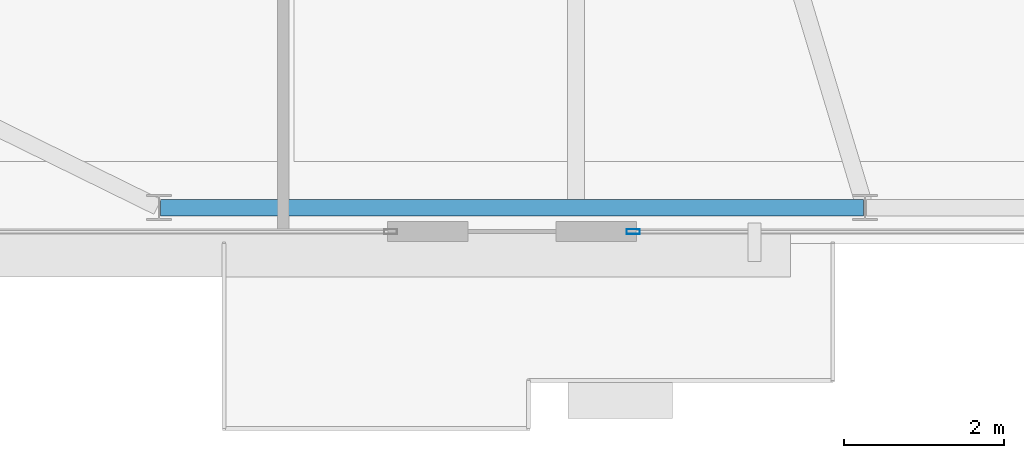
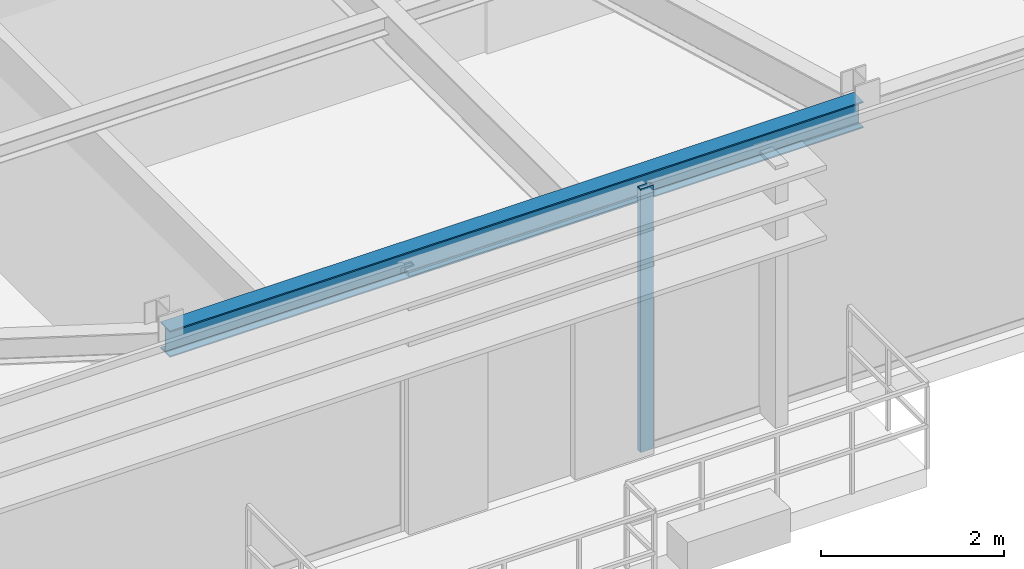
# One storey, part 5 of 21: 1 beam, 1 member, 1 element without a shape of its own.
"""IFC4 building model written with IfcOpenShell, lengths in metres."""

import ifcopenshell
import ifcopenshell.guid

model = None  # the IFC model being written
_history = None  # IfcOwnerHistory: only IFC2X3 demands one
_inside = {}  # id of a spatial element -> (the spatial element, [elements in it])
_under = {}  # id of a project, library or spatial element -> (it, [spatial elements below it])
_declared = {}  # id of a project -> (the project, [libraries it declares])
_typed = {}  # id of a type object -> (the type object, [elements of that type])
_made_of = {}  # id of a material, layer set ... -> (it, [elements and type objects made of it])


def new_model(schema):
    """Start an empty IFC model of exactly this schema.

    Asked for "IFC4X3", IfcOpenShell would pick the latest addendum, in which some entities
    have other attributes; the version numbers below select the first issue.
    IFC2X3 requires an IfcOwnerHistory on every rooted entity: one is made here for all.
    """
    global model, _history
    if schema == "IFC4X3":
        model = ifcopenshell.file(schema_version=(4, 3, 0, 0))
    else:
        model = ifcopenshell.file(schema=schema)
    _inside.clear()
    _under.clear()
    _declared.clear()
    _typed.clear()
    _made_of.clear()
    _history = None
    if model.schema == "IFC2X3":
        org = make("IfcOrganization", Name="unknown")
        user = make(
            "IfcPersonAndOrganization",
            ThePerson=make("IfcPerson", FamilyName="unknown"),
            TheOrganization=org,
        )
        app = make(
            "IfcApplication",
            ApplicationDeveloper=org,
            Version="unknown",
            ApplicationFullName="unknown",
            ApplicationIdentifier="unknown",
        )
        _history = make(
            "IfcOwnerHistory",
            OwningUser=user,
            OwningApplication=app,
            ChangeAction="ADDED",
            CreationDate=0,
        )
    return model


def make(cls, **values):
    """One entity of the class cls with the attributes given. An attribute that is None is left unset."""
    return model.create_entity(
        cls, **{name: value for name, value in values.items() if value is not None}
    )


def rooted(cls, **values):
    """An entity with a GlobalId (a new one), such as an element, a storey or a relation."""
    return make(cls, GlobalId=ifcopenshell.guid.new(), OwnerHistory=_history, **values)


def si_unit(unit_type, name, prefix=None):
    """IfcSIUnit, for example si_unit("LENGTHUNIT", "METRE", prefix="MILLI")."""
    return make("IfcSIUnit", UnitType=unit_type, Prefix=prefix, Name=name)


def assignment(units):
    """IfcUnitAssignment: the units of a project."""
    return None if units is None else make("IfcUnitAssignment", Units=units)


def point(xyz):
    """IfcCartesianPoint."""
    return None if xyz is None else make("IfcCartesianPoint", Coordinates=xyz)


def direction(xyz):
    """IfcDirection."""
    return None if xyz is None else make("IfcDirection", DirectionRatios=xyz)


def frame(location, z_axis=None, x_axis=None):
    """IfcAxis2Placement3D, a coordinate frame: its origin and axes. An axis left out is left unset."""
    return make(
        "IfcAxis2Placement3D",
        Location=point(location),
        Axis=direction(z_axis),
        RefDirection=direction(x_axis),
    )


def frame_2d(location, x_axis=None):
    """IfcAxis2Placement2D, a coordinate frame in the plane: its origin and x axis."""
    return make(
        "IfcAxis2Placement2D", Location=point(location), RefDirection=direction(x_axis)
    )


def origin():
    """The frame at (0, 0, 0) with its axes left unset."""
    return frame((0.0, 0.0, 0.0))


def origin_2d():
    """The frame at (0, 0) in the plane with its x axis left unset."""
    return frame_2d((0.0, 0.0))


def place(relative_to, where):
    """IfcLocalPlacement: puts the frame where relative to a parent placement (None: the world)."""
    return make(
        "IfcLocalPlacement", PlacementRelTo=relative_to, RelativePlacement=where
    )


def context(
    kind, dimensions, precision=None, world=None, true_north=None, identifier=None
):
    """IfcGeometricRepresentationContext, for example the 3D "Model" context."""
    return make(
        "IfcGeometricRepresentationContext",
        ContextIdentifier=identifier,
        ContextType=kind,
        CoordinateSpaceDimension=dimensions,
        Precision=precision,
        WorldCoordinateSystem=world,
        TrueNorth=true_north,
    )


def subcontext(parent, identifier, kind, view, scale=None):
    """IfcGeometricRepresentationSubContext, for example "Body" below "Model"."""
    return make(
        "IfcGeometricRepresentationSubContext",
        ContextIdentifier=identifier,
        ContextType=kind,
        ParentContext=parent,
        TargetScale=scale,
        TargetView=view,
    )


def project(units=None, contexts=None):
    """IfcProject with its units and contexts."""
    return rooted(
        "IfcProject",
        Name="project",
        RepresentationContexts=contexts,
        UnitsInContext=assignment(units),
    )


def spatial(cls, under=None, at=None, **own):
    """A site, building, storey or space (cls), placed at a placement, below another one or the project."""
    s = rooted(cls, ObjectPlacement=at, **own)
    if under is not None:
        _under.setdefault(under.id(), (under, []))[1].append(s)
    return s


def profile(cls, at=None, kind="AREA", **sizes):
    """A parametric profile (cls). Its sizes go by their IFC names, for example OverallWidth=200.0."""
    return make(cls, ProfileType=kind, Position=at, **sizes)


def hollow_rectangle(**sizes):
    """IfcRectangleHollowProfileDef."""
    return profile("IfcRectangleHollowProfileDef", **sizes)


def i_section(**sizes):
    """IfcIShapeProfileDef."""
    return profile("IfcIShapeProfileDef", **sizes)


def extrude(swept, where, along, depth):
    """IfcExtrudedAreaSolid: the profile swept, set in the frame where, extruded along a direction by depth."""
    return make(
        "IfcExtrudedAreaSolid",
        SweptArea=swept,
        Position=where,
        ExtrudedDirection=direction(along),
        Depth=depth,
    )


def shape(context_of_items, identifier, shape_type, items):
    """IfcShapeRepresentation: the items that make up one representation, for example the "Body"."""
    return make(
        "IfcShapeRepresentation",
        ContextOfItems=context_of_items,
        RepresentationIdentifier=identifier,
        RepresentationType=shape_type,
        Items=items,
    )


def source(mapping_origin, context_of_items, identifier, shape_type, items):
    """IfcRepresentationMap: a shape defined once, which mapped items show again and again."""
    return make(
        "IfcRepresentationMap",
        MappingOrigin=mapping_origin,
        MappedRepresentation=shape(context_of_items, identifier, shape_type, items),
    )


def transform(
    local_origin,
    x_axis=None,
    y_axis=None,
    z_axis=None,
    scale=None,
    scale2=None,
    scale3=None,
    uniform=True,
):
    """IfcCartesianTransformationOperator3D, or its non-uniform kind. x_axis, y_axis, z_axis: its Axis1, 2, 3."""
    if uniform:
        return make(
            "IfcCartesianTransformationOperator3D",
            Axis1=direction(x_axis),
            Axis2=direction(y_axis),
            LocalOrigin=point(local_origin),
            Scale=scale,
            Axis3=direction(z_axis),
        )
    return make(
        "IfcCartesianTransformationOperator3DnonUniform",
        Axis1=direction(x_axis),
        Axis2=direction(y_axis),
        LocalOrigin=point(local_origin),
        Scale=scale,
        Axis3=direction(z_axis),
        Scale2=scale2,
        Scale3=scale3,
    )


def mapped(mapping_source, mapping_target):
    """IfcMappedItem: shows the shape of a source again, moved by a transform."""
    return make(
        "IfcMappedItem", MappingSource=mapping_source, MappingTarget=mapping_target
    )


def material(Name=None, Category=None):
    """IfcMaterial."""
    return make("IfcMaterial", Name=Name, Category=Category)


def layer(
    of_material, thickness, ventilated=None, Name=None, Category=None, Priority=None
):
    """IfcMaterialLayer: one layer of a wall or slab, of a material (None: an air gap)."""
    return make(
        "IfcMaterialLayer",
        Material=of_material,
        LayerThickness=thickness,
        IsVentilated=ventilated,
        Name=Name,
        Category=Category,
        Priority=Priority,
    )


def layer_set(layers, Name=None):
    """IfcMaterialLayerSet."""
    return make("IfcMaterialLayerSet", MaterialLayers=layers, LayerSetName=Name)


def material_profile(
    of_material, cross_section, Name=None, Category=None, Priority=None
):
    """IfcMaterialProfile: a cross section and its material."""
    return make(
        "IfcMaterialProfile",
        Name=Name,
        Material=of_material,
        Profile=cross_section,
        Priority=Priority,
        Category=Category,
    )


def profile_set(profiles, Name=None, composite=None):
    """IfcMaterialProfileSet."""
    return make(
        "IfcMaterialProfileSet",
        Name=Name,
        MaterialProfiles=profiles,
        CompositeProfile=composite,
    )


def made_of(thing, what):
    """Note that an element or type object is made of a material, layer set ...; save() writes the relation."""
    if what is not None:
        _made_of.setdefault(what.id(), (what, []))[1].append(thing)
    return thing


def type_object(cls, material=None, **own):
    """A type object (cls), such as IfcWallType, which elements share."""
    return made_of(rooted(cls, **own), material)


def type_shapes(of_type, sources):
    """Give a type object the sources (RepresentationMaps) that its elements show as mapped items."""
    of_type.RepresentationMaps = sources


def element(
    cls,
    number,
    at=None,
    inside=None,
    cuts=None,
    type_object=None,
    material=None,
    context=None,
    identifier="Body",
    shape_type=None,
    held_by="IfcProductDefinitionShape",
    body=None,
    shapes=None,
    **own,
):
    """One element of the class cls, such as IfcWall. Its Tag is "e" and its number.

    at: its placement. inside: the storey or other place that contains it. cuts: it is an
    opening in that element (IfcRelVoidsElement). A single representation is given by context,
    identifier, shape_type and body (its items); several are given by shapes. held_by: the class
    of the entity that holds the representations. save() writes the other relations.
    """
    e = rooted(cls, Tag="e%d" % number, ObjectPlacement=at, **own)
    if body is not None:
        shapes = [shape(context, identifier, shape_type, body)]
    if shapes is not None:
        e.Representation = make(held_by, Representations=shapes)
    if inside is not None:
        _inside.setdefault(inside.id(), (inside, []))[1].append(e)
    if cuts is not None:
        rooted(
            "IfcRelVoidsElement", RelatingBuildingElement=cuts, RelatedOpeningElement=e
        )
    if type_object is not None:
        _typed.setdefault(type_object.id(), (type_object, []))[1].append(e)
    return made_of(e, material)


def aggregate(whole, parts):
    """IfcRelAggregates: a whole, such as a stair, and the parts it consists of."""
    return rooted("IfcRelAggregates", RelatingObject=whole, RelatedObjects=parts)


def save(model, path):
    """Write the relations noted so far, then the file.

    IfcRelAggregates (storeys below a building ...), IfcRelContainedInSpatialStructure (elements
    in a storey), IfcRelDefinesByType, IfcRelAssociatesMaterial and IfcRelDeclares: one each for
    every whole, place, type object, material and project.
    """
    for whole, parts in _under.values():
        aggregate(whole, parts)
    for where, things in _inside.values():
        rooted(
            "IfcRelContainedInSpatialStructure",
            RelatedElements=things,
            RelatingStructure=where,
        )
    for kind, things in _typed.values():
        rooted("IfcRelDefinesByType", RelatedObjects=things, RelatingType=kind)
    for what, things in _made_of.values():
        rooted("IfcRelAssociatesMaterial", RelatedObjects=things, RelatingMaterial=what)
    for by, libraries in _declared.values():
        rooted("IfcRelDeclares", RelatingContext=by, RelatedDefinitions=libraries)
    model.write(path)


model = new_model("IFC4")

# Units and contexts
model_context = context("Model", 3, precision=1e-05, world=origin(), true_north=direction((0.0, 1.0)))
body_context = subcontext(model_context, "Body", "Model", "MODEL_VIEW")
ifc_project = project(units=[si_unit("LENGTHUNIT", "METRE"), si_unit("AREAUNIT", "SQUARE_METRE"), si_unit("VOLUMEUNIT", "CUBIC_METRE"), si_unit("PLANEANGLEUNIT", "RADIAN"), si_unit("MASSUNIT", "GRAM", prefix="KILO")], contexts=[model_context])

# Site, building, storey
site_placement = place(None, origin())
site = spatial("IfcSite", under=ifc_project, at=site_placement, CompositionType="ELEMENT")
building_placement = place(site_placement, origin())
building = spatial("IfcBuilding", under=site, at=building_placement, Name="Varnel Quay Broadcast Tower", CompositionType="ELEMENT")
storey_placement = place(building_placement, frame((0.0, 0.0, 296.39990234375)))
storey = spatial("IfcBuildingStorey", under=building, at=storey_placement, Name="L74", CompositionType="ELEMENT", Elevation=296.39990234375)

# Beam
ifc_material_1 = material(Name="Structural Steel CSA G40.21 350W", Category="steel")
ifc_material_profile_1 = material_profile(ifc_material_1, i_section(OverallWidth=0.205078125, OverallDepth=0.35400390625, WebThickness=0.009521484375, FlangeThickness=0.016845703125, FilletRadius=0.012939453125, at=origin_2d()), Name="W360X79")
ifc_profile_set_1 = profile_set([ifc_material_profile_1], Name="Structural Steel CSA G40.21 350W")
beam_type = type_object("IfcBeamType", Name="Beam_W360X79", PredefinedType="SPANDREL", material=ifc_profile_set_1)
shared_shape_1 = source(origin(), body_context, "Body", "SweptSolid", [
    extrude(i_section(OverallWidth=0.205078125, OverallDepth=0.35400390625, WebThickness=0.009521484375, FlangeThickness=0.016845703125, FilletRadius=0.012939453125, at=origin_2d()), origin(), (0.0, 0.0, 1.0), 8.760009765625),
])
type_shapes(beam_type, [shared_shape_1])
beam_placement = place(storey_placement, frame((20.820068359375, 13.64990234375, 3.343017578125), z_axis=(1.0, 0.0, 0.0), x_axis=(0.0, 1.0, 0.0)))
element("IfcBeam", 1, at=beam_placement, inside=storey, type_object=beam_type, Name="L74 South Spandrel TC-S1-TC-S2", PredefinedType="SPANDREL", context=body_context, shape_type="MappedRepresentation", body=[
    mapped(shared_shape_1, transform((0.0, 0.0, 0.0), x_axis=(1.0, 0.0, 0.0), y_axis=(0.0, 1.0, 0.0), z_axis=(0.0, 0.0, 1.0), scale=1.0)),
])

# Curtain wall, member
ifc_material_2 = material(Name="Anodised Bronze Aluminium 6063-T6", Category="aluminium")
ifc_layer = layer(ifc_material_2, 0.18994140625, Name="Anodised Bronze Aluminium 6063-T6")
ifc_layer_set = layer_set([ifc_layer], Name="Anodised Bronze Aluminium 6063-T6")
curtain_wall_type = type_object("IfcCurtainWallType", Name="CW_UpperTower", PredefinedType="NOTDEFINED", material=ifc_layer_set)
curtain_wall_placement = place(storey_placement, origin())
curtain_wall = element("IfcCurtainWall", 2, at=curtain_wall_placement, inside=storey, type_object=curtain_wall_type, Name="L74 South Unitised Curtain Wall 2", PredefinedType="NOTDEFINED")
ifc_material_profile_2 = material_profile(ifc_material_2, hollow_rectangle(XDim=0.06494140625, YDim=0.1650390625, WallThickness=0.00341796875, at=origin_2d()), Name="ALU65X165X3.5")
ifc_profile_set_2 = profile_set([ifc_material_profile_2], Name="Anodised Bronze Aluminium 6063-T6")
member_type = type_object("IfcMemberType", Name="Mull_CWS-03", PredefinedType="MULLION", material=ifc_profile_set_2)
shared_shape_2 = source(origin(), body_context, "Body", "SweptSolid", [
    extrude(hollow_rectangle(XDim=0.06494140625, YDim=0.1650390625, WallThickness=0.00341796875, at=origin_2d()), origin(), (0.0, 0.0, 1.0), 3.52001953125),
])
type_shapes(member_type, [shared_shape_2])
member_placement = place(storey_placement, frame((26.71240234375, 13.35009765625, 0.0), z_axis=(0.0, 0.0, 1.0), x_axis=(0.0, 1.0, 0.0)))
member = element("IfcMember", 3, at=member_placement, type_object=member_type, Name="CWS-03 mullion 1", PredefinedType="MULLION", context=body_context, shape_type="MappedRepresentation", body=[
    mapped(shared_shape_2, transform((0.0, 0.0, 0.0), x_axis=(1.0, 0.0, 0.0), y_axis=(0.0, 1.0, 0.0), z_axis=(0.0, 0.0, 1.0), scale=1.0)),
])
aggregate(curtain_wall, [member])

save(model, "model.ifc")
